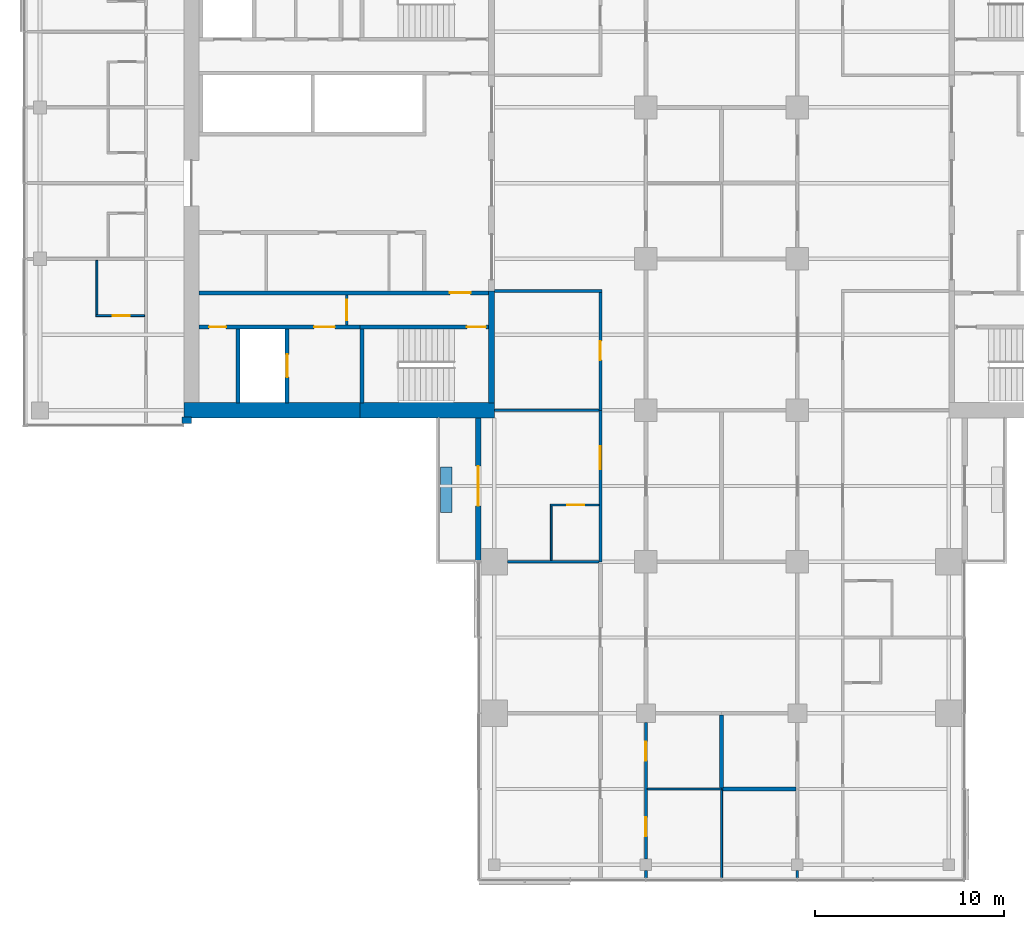
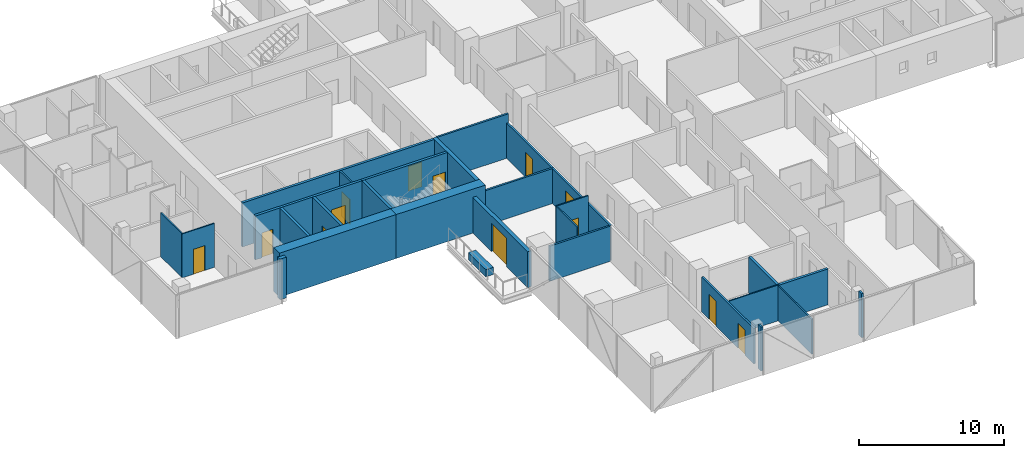
# One storey, part 15 of 27: 29 walls, 13 doors, 13 openings.
"""IFC4 building model written with IfcOpenShell, lengths in metres."""

from ifc_helpers import new_model, si_unit, direction, frame, frame_2d, origin, place, context, subcontext, project, spatial, rectangle, extrude, material, layer, layer_set, constituent, constituent_set, type_object, element, fill, save


model = new_model("IFC4")

# Units and contexts
model_context = context("Model", 3, precision=1e-05, world=origin(), true_north=direction((0.0, 1.0)))
body_context = subcontext(model_context, "Body", "Model", "MODEL_VIEW")
ifc_project = project(units=[si_unit("LENGTHUNIT", "METRE"), si_unit("AREAUNIT", "SQUARE_METRE"), si_unit("VOLUMEUNIT", "CUBIC_METRE"), si_unit("PLANEANGLEUNIT", "RADIAN"), si_unit("MASSUNIT", "GRAM", prefix="KILO")], contexts=[model_context])

# Site, building, storey
site_placement = place(None, origin())
site = spatial("IfcSite", under=ifc_project, at=site_placement, CompositionType="ELEMENT")
building_placement = place(site_placement, origin())
building = spatial("IfcBuilding", under=site, at=building_placement, Name="Crosswind Convention Tower", CompositionType="ELEMENT")
storey_placement = place(building_placement, frame((0.0, 0.0, 90.5)))
storey = spatial("IfcBuildingStorey", under=building, at=storey_placement, Name="L17", CompositionType="ELEMENT", Elevation=90.5)

# Walls
ifc_material_1 = material(Name="Concrete blockwork", Category="masonry")
ifc_layer_1 = layer(ifc_material_1, 0.199951171875)
ifc_layer_set_1 = layer_set([ifc_layer_1], Name="COMPARTMENT WALL 200")
wall_type_1 = type_object("IfcWallType", Name="COMPARTMENT WALL 200", PredefinedType="SOLIDWALL", material=ifc_layer_set_1)
wall_1_placement = place(storey_placement, frame((125.0, 68.0, 0.0), z_axis=(0.0, 0.0, 1.0), x_axis=(1.0, 0.0, 0.0)))
element("IfcWall", 1, at=wall_1_placement, inside=storey, type_object=wall_type_1, Name="Compartment Wall 2", PredefinedType="SOLIDWALL", context=body_context, shape_type="SweptSolid", body=[
    extrude(rectangle(XDim=3.925048828125, YDim=0.199951171875, at=frame_2d((1.96240234375, 0.0))), origin(), (0.0, 0.0, 1.0), 3.013671875),
])
wall_2_placement = place(storey_placement, frame((125.0, 68.050048828125, 0.0), z_axis=(0.0, 0.0, 1.0), x_axis=(0.0, 1.0, 0.0)))
element("IfcWall", 2, at=wall_2_placement, inside=storey, type_object=wall_type_1, Name="Compartment Wall 95", PredefinedType="SOLIDWALL", context=body_context, shape_type="SweptSolid", body=[
    extrude(rectangle(XDim=3.849853515625, YDim=0.199951171875, at=frame_2d((1.9248046875, 0.0))), origin(), (0.0, 0.0, 1.0), 3.013671875),
])
ifc_material_2 = material(Name="Plasterboard partition", Category="gypsum")
ifc_layer_2 = layer(ifc_material_2, 0.14990234375)
ifc_layer_set_2 = layer_set([ifc_layer_2], Name="CORRIDOR WALL 150")
wall_type_2 = type_object("IfcWallType", Name="CORRIDOR WALL 150", PredefinedType="PARTITIONING", material=ifc_layer_set_2)
wall_3_placement = place(storey_placement, frame((113.0, 94.300048828125, 0.0), z_axis=(0.0, 0.0, 1.0), x_axis=(1.0, 0.0, 0.0)))
element("IfcWall", 3, at=wall_3_placement, inside=storey, type_object=wall_type_2, Name="Corridor Wall 18", PredefinedType="PARTITIONING", context=body_context, shape_type="SweptSolid", body=[
    extrude(rectangle(XDim=5.675048828125, YDim=0.14990234375, at=frame_2d((2.83740234375, 0.0))), origin(), (0.0, 0.0, 1.0), 3.699951171875),
])

# Wall, opening, door
wall_4_placement = place(storey_placement, frame((118.60009765625, 88.0, 0.0), z_axis=(0.0, 0.0, 1.0), x_axis=(0.0, 1.0, 0.0)))
wall_4 = element("IfcWall", 4, at=wall_4_placement, inside=storey, type_object=wall_type_2, Name="Corridor Wall 80", PredefinedType="PARTITIONING", context=body_context, shape_type="SweptSolid", body=[
    extrude(rectangle(XDim=6.22509765625, YDim=0.14990234375, at=frame_2d((3.112548828125, 0.0))), origin(), (0.0, 0.0, 1.0), 2.956298828125),
])
opening_1_placement = place(wall_4_placement, frame((2.64990234375, 0.0, 0.0)))
opening_1 = element("IfcOpeningElement", 5, at=opening_1_placement, cuts=wall_4, Name="Opening 17.004", PredefinedType="OPENING", context=body_context, shape_type="SweptSolid", body=[
    extrude(rectangle(XDim=1.0, YDim=2.10009765625, at=frame_2d((0.5, 1.050048828125))), frame((0.0, 0.0849609375, 0.0), z_axis=(0.0, -1.0, 0.0), x_axis=(1.0, 0.0, 0.0)), (0.0, 0.0, 1.0), 0.169921875),
])
ifc_material_3 = material(Name="Timber fire door", Category="wood")
door_type_1 = type_object("IfcDoorType", Name="SERVICE ROOM DOOR 1000X2100", OperationType="NOTDEFINED", PredefinedType="DOOR", material=ifc_material_3)
door_1_placement = place(opening_1_placement, origin())
door_1 = element("IfcDoor", 6, at=door_1_placement, inside=storey, type_object=door_type_1, Name="Door 17.004", ObjectType="D3", OperationType="SINGLE_SWING_RIGHT", OverallHeight=2.10009765625, OverallWidth=1.0, PredefinedType="DOOR", context=body_context, shape_type="SweptSolid", body=[
    extrude(rectangle(XDim=1.0, YDim=2.10009765625, at=frame_2d((0.5, 1.050048828125))), frame((0.0, 0.02490234375, 0.0), z_axis=(0.0, -1.0, 0.0), x_axis=(1.0, 0.0, 0.0)), (0.0, 0.0, 1.0), 0.050048828125),
])
fill(opening_1, door_1)

# Wall
wall_5_placement = place(storey_placement, frame((121.0, 63.300048828125, 0.0), z_axis=(0.0, 0.0, 1.0), x_axis=(0.0, 1.0, 0.0)))
element("IfcWall", 7, at=wall_5_placement, inside=storey, type_object=wall_type_2, Name="Corridor Wall 83", PredefinedType="PARTITIONING", context=body_context, shape_type="SweptSolid", body=[
    extrude(rectangle(XDim=0.39990234375, YDim=0.14990234375, at=frame_2d((0.199951171875, 0.0))), origin(), (0.0, 0.0, 1.0), 3.699951171875),
])

# Wall, openings, doors
wall_6_placement = place(storey_placement, frame((121.0, 64.300048828125, 0.0), z_axis=(0.0, 0.0, 1.0), x_axis=(0.0, 1.0, 0.0)))
wall_6 = element("IfcWall", 8, at=wall_6_placement, inside=storey, type_object=wall_type_2, Name="Corridor Wall 84", PredefinedType="PARTITIONING", context=body_context, shape_type="SweptSolid", body=[
    extrude(rectangle(XDim=7.199951171875, YDim=0.14990234375, at=frame_2d((3.60009765625, 0.0))), origin(), (0.0, 0.0, 1.0), 2.959716796875),
])
opening_2_placement = place(wall_6_placement, frame((1.199951171875, 0.0, 0.0)))
opening_2 = element("IfcOpeningElement", 9, at=opening_2_placement, cuts=wall_6, Name="Opening 17.050", PredefinedType="OPENING", context=body_context, shape_type="SweptSolid", body=[
    extrude(rectangle(XDim=1.0, YDim=2.10009765625, at=frame_2d((0.5, 1.050048828125))), frame((0.0, 0.0849609375, 0.0), z_axis=(0.0, -1.0, 0.0), x_axis=(1.0, 0.0, 0.0)), (0.0, 0.0, 1.0), 0.169921875),
])
opening_3_placement = place(wall_6_placement, frame((5.199951171875, 0.0, 0.0)))
opening_3 = element("IfcOpeningElement", 10, at=opening_3_placement, cuts=wall_6, Name="Opening 17.051", PredefinedType="OPENING", context=body_context, shape_type="SweptSolid", body=[
    extrude(rectangle(XDim=1.0, YDim=2.10009765625, at=frame_2d((0.5, 1.050048828125))), frame((0.0, 0.0849609375, 0.0), z_axis=(0.0, -1.0, 0.0), x_axis=(1.0, 0.0, 0.0)), (0.0, 0.0, 1.0), 0.169921875),
])
door_2_placement = place(opening_2_placement, frame((1.0, 0.0, 0.0), z_axis=(0.0, 0.0, 1.0), x_axis=(-1.0, 0.0, 0.0)))
door_2 = element("IfcDoor", 11, at=door_2_placement, inside=storey, type_object=door_type_1, Name="Door 17.050", ObjectType="D3", OperationType="SINGLE_SWING_RIGHT", OverallHeight=2.10009765625, OverallWidth=1.0, PredefinedType="DOOR", context=body_context, shape_type="SweptSolid", body=[
    extrude(rectangle(XDim=1.0, YDim=2.10009765625, at=frame_2d((0.5, 1.050048828125))), frame((0.0, 0.02490234375, 0.0), z_axis=(0.0, -1.0, 0.0), x_axis=(1.0, 0.0, 0.0)), (0.0, 0.0, 1.0), 0.050048828125),
])
fill(opening_2, door_2)
door_3_placement = place(opening_3_placement, frame((1.0, 0.0, 0.0), z_axis=(0.0, 0.0, 1.0), x_axis=(-1.0, 0.0, 0.0)))
door_3 = element("IfcDoor", 12, at=door_3_placement, inside=storey, type_object=door_type_1, Name="Door 17.051", ObjectType="D3", OperationType="SINGLE_SWING_LEFT", OverallHeight=2.10009765625, OverallWidth=1.0, PredefinedType="DOOR", context=body_context, shape_type="SweptSolid", body=[
    extrude(rectangle(XDim=1.0, YDim=2.10009765625, at=frame_2d((0.5, 1.050048828125))), frame((0.0, 0.02490234375, 0.0), z_axis=(0.0, -1.0, 0.0), x_axis=(1.0, 0.0, 0.0)), (0.0, 0.0, 1.0), 0.050048828125),
])
fill(opening_3, door_3)

# Walls
wall_7_placement = place(storey_placement, frame((129.0, 63.300048828125, 0.0), z_axis=(0.0, 0.0, 1.0), x_axis=(0.0, 1.0, 0.0)))
element("IfcWall", 13, at=wall_7_placement, inside=storey, type_object=wall_type_2, Name="Corridor Wall 101", PredefinedType="PARTITIONING", context=body_context, shape_type="SweptSolid", body=[
    extrude(rectangle(XDim=0.39990234375, YDim=0.14990234375, at=frame_2d((0.199951171875, 0.0))), origin(), (0.0, 0.0, 1.0), 3.699951171875),
])
ifc_material_4 = material(Name="Concrete C50/60", Category="concrete")
ifc_layer_3 = layer(ifc_material_4, 0.300048828125)
ifc_layer_set_3 = layer_set([ifc_layer_3], Name="Concrete C50/60")
wall_type_3 = type_object("IfcWallType", Name="Concrete inner core wall 300", PredefinedType="SHEAR", material=ifc_layer_set_3)
wall_8_placement = place(storey_placement, frame((112.85009765625, 94.300048828125, 0.0), z_axis=(0.0, 0.0, 1.0), x_axis=(0.0, -1.0, 0.0)))
element("IfcWall", 14, at=wall_8_placement, inside=storey, type_object=wall_type_3, Name="Wall EP W L17", PredefinedType="SHEAR", context=body_context, shape_type="SweptSolid", body=[
    extrude(rectangle(XDim=5.900146484375, YDim=0.300048828125, at=frame_2d((2.9501953125, 0.0))), origin(), (0.0, 0.0, 1.0), 3.699951171875),
])

# Wall, opening, door
ifc_layer_4 = layer(ifc_material_4, 0.199951171875)
ifc_layer_set_4 = layer_set([ifc_layer_4], Name="Concrete C50/60")
wall_type_4 = type_object("IfcWallType", Name="Concrete shaft and stair wall 200", PredefinedType="SHEAR", material=ifc_layer_set_4)
wall_9_placement = place(storey_placement, frame((112.699951171875, 94.199951171875, 0.0), z_axis=(0.0, 0.0, 1.0), x_axis=(-1.0, 0.0, 0.0)))
wall_9 = element("IfcWall", 15, at=wall_9_placement, inside=storey, type_object=wall_type_4, Name="Wall HP W L17", PredefinedType="SHEAR", context=body_context, shape_type="SweptSolid", body=[
    extrude(rectangle(XDim=15.300048828125, YDim=0.199951171875, at=frame_2d((7.64990234375, 0.0))), origin(), (0.0, 0.0, 1.0), 3.699951171875),
])
opening_4_placement = place(wall_9_placement, frame((0.949951171875, 0.0, 0.0)))
opening_4 = element("IfcOpeningElement", 16, at=opening_4_placement, cuts=wall_9, Name="Opening D104", PredefinedType="OPENING", context=body_context, shape_type="SweptSolid", body=[
    extrude(rectangle(XDim=1.10009765625, YDim=2.10009765625, at=frame_2d((0.550048828125, 1.050048828125))), frame((0.0, 0.10986328125, 0.0), z_axis=(0.0, -1.0, 0.0), x_axis=(1.0, 0.0, 0.0)), (0.0, 0.0, 1.0), 0.219970703125),
])
ifc_material_5 = material(Name="Steel fire door", Category="steel")
door_type_2 = type_object("IfcDoorType", Name="Fire-rated single door 1100x2100", OperationType="NOTDEFINED", PredefinedType="DOOR", material=ifc_material_5)
door_4_placement = place(opening_4_placement, origin())
door_4 = element("IfcDoor", 17, at=door_4_placement, inside=storey, type_object=door_type_2, Name="Corridor door L17", ObjectType="D104", OperationType="SINGLE_SWING_LEFT", OverallHeight=2.10009765625, OverallWidth=1.10009765625, PredefinedType="DOOR", context=body_context, shape_type="SweptSolid", body=[
    extrude(rectangle(XDim=1.10009765625, YDim=2.10009765625, at=frame_2d((0.550048828125, 1.050048828125))), frame((0.0, 0.02490234375, 0.0), z_axis=(0.0, -1.0, 0.0), x_axis=(1.0, 0.0, 0.0)), (0.0, 0.0, 1.0), 0.050048828125),
])
fill(opening_4, door_4)

# Wall
wall_10_placement = place(storey_placement, frame((106.0, 92.300048828125, 0.0), z_axis=(0.0, 0.0, 1.0), x_axis=(0.0, -1.0, 0.0)))
element("IfcWall", 18, at=wall_10_placement, inside=storey, type_object=wall_type_4, Name="Wall PSE W L17", PredefinedType="SHEAR", context=body_context, shape_type="SweptSolid", body=[
    extrude(rectangle(XDim=3.900146484375, YDim=0.199951171875, at=frame_2d((1.9501953125, 0.0))), origin(), (0.0, 0.0, 1.0), 3.699951171875),
])

# Wall, opening, door
wall_11_placement = place(storey_placement, frame((102.050048828125, 92.300048828125, 0.0), z_axis=(0.0, 0.0, 1.0), x_axis=(0.0, -1.0, 0.0)))
wall_11 = element("IfcWall", 19, at=wall_11_placement, inside=storey, type_object=wall_type_4, Name="Wall PFLW W L17", PredefinedType="SHEAR", context=body_context, shape_type="SweptSolid", body=[
    extrude(rectangle(XDim=3.900146484375, YDim=0.199951171875, at=frame_2d((1.9501953125, 0.0))), origin(), (0.0, 0.0, 1.0), 3.699951171875),
])
opening_5_placement = place(wall_11_placement, frame((1.35009765625, 0.0, 0.0)))
opening_5 = element("IfcOpeningElement", 20, at=opening_5_placement, cuts=wall_11, Name="Opening LD1", PredefinedType="OPENING", context=body_context, shape_type="SweptSolid", body=[
    extrude(rectangle(XDim=1.199951171875, YDim=2.10009765625, at=frame_2d((0.60009765625, 1.050048828125))), frame((0.0, 0.10986328125, 0.0), z_axis=(0.0, -1.0, 0.0), x_axis=(1.0, 0.0, 0.0)), (0.0, 0.0, 1.0), 0.219970703125),
])
ifc_material_6 = material(Name="Stainless steel", Category="steel")
door_type_3 = type_object("IfcDoorType", Name="Lift landing door 1200x2100", OperationType="DOUBLE_DOOR_SLIDING", PredefinedType="DOOR", material=ifc_material_6)
door_5_placement = place(opening_5_placement, origin())
door_5 = element("IfcDoor", 21, at=door_5_placement, inside=storey, type_object=door_type_3, Name="Landing door FF2 L17", ObjectType="LD1", OperationType="DOUBLE_DOOR_SLIDING", OverallHeight=2.10009765625, OverallWidth=1.199951171875, PredefinedType="DOOR", context=body_context, shape_type="SweptSolid", body=[
    extrude(rectangle(XDim=1.199951171875, YDim=2.10009765625, at=frame_2d((0.60009765625, 1.050048828125))), frame((0.0, 0.02490234375, 0.0), z_axis=(0.0, -1.0, 0.0), x_axis=(1.0, 0.0, 0.0)), (0.0, 0.0, 1.0), 0.050048828125),
])
fill(opening_5, door_5)

# Wall
wall_12_placement = place(storey_placement, frame((99.449951171875, 92.300048828125, 0.0), z_axis=(0.0, 0.0, 1.0), x_axis=(0.0, -1.0, 0.0)))
element("IfcWall", 22, at=wall_12_placement, inside=storey, type_object=wall_type_4, Name="Wall PFSE W L17", PredefinedType="SHEAR", context=body_context, shape_type="SweptSolid", body=[
    extrude(rectangle(XDim=3.900146484375, YDim=0.199951171875, at=frame_2d((1.9501953125, 0.0))), origin(), (0.0, 0.0, 1.0), 3.699951171875),
])

# Wall, opening, door
wall_13_placement = place(storey_placement, frame((112.699951171875, 92.39990234375, 0.0), z_axis=(0.0, 0.0, 1.0), x_axis=(-1.0, 0.0, 0.0)))
wall_13 = element("IfcWall", 23, at=wall_13_placement, inside=storey, type_object=wall_type_4, Name="Wall PCW W L17", PredefinedType="SHEAR", context=body_context, shape_type="SweptSolid", body=[
    extrude(rectangle(XDim=6.800048828125, YDim=0.199951171875, at=frame_2d((3.39990234375, 0.0))), origin(), (0.0, 0.0, 1.0), 3.699951171875),
])
opening_6_placement = place(wall_13_placement, frame((0.14990234375, 0.0, 0.0)))
opening_6 = element("IfcOpeningElement", 24, at=opening_6_placement, cuts=wall_13, Name="Opening D103", PredefinedType="OPENING", context=body_context, shape_type="SweptSolid", body=[
    extrude(rectangle(XDim=1.0, YDim=2.10009765625, at=frame_2d((0.5, 1.050048828125))), frame((0.0, 0.10986328125, 0.0), z_axis=(0.0, -1.0, 0.0), x_axis=(1.0, 0.0, 0.0)), (0.0, 0.0, 1.0), 0.219970703125),
])
door_type_4 = type_object("IfcDoorType", Name="Fire-rated single door 1000x2100", OperationType="NOTDEFINED", PredefinedType="DOOR", material=ifc_material_5)
door_6_placement = place(opening_6_placement, origin())
door_6 = element("IfcDoor", 25, at=door_6_placement, inside=storey, type_object=door_type_4, Name="Stair ST3 door L17", ObjectType="D103", OperationType="SINGLE_SWING_LEFT", OverallHeight=2.10009765625, OverallWidth=1.0, PredefinedType="DOOR", context=body_context, shape_type="SweptSolid", body=[
    extrude(rectangle(XDim=1.0, YDim=2.10009765625, at=frame_2d((0.5, 1.050048828125))), frame((0.0, 0.02490234375, 0.0), z_axis=(0.0, -1.0, 0.0), x_axis=(1.0, 0.0, 0.0)), (0.0, 0.0, 1.0), 0.050048828125),
])
fill(opening_6, door_6)

# Wall, openings, doors
wall_14_placement = place(storey_placement, frame((105.89990234375, 92.39990234375, 0.0), z_axis=(0.0, 0.0, 1.0), x_axis=(-1.0, 0.0, 0.0)))
wall_14 = element("IfcWall", 26, at=wall_14_placement, inside=storey, type_object=wall_type_4, Name="Wall PCX W L17", PredefinedType="SHEAR", context=body_context, shape_type="SweptSolid", body=[
    extrude(rectangle(XDim=8.5, YDim=0.199951171875, at=frame_2d((4.25, 0.0))), origin(), (0.0, 0.0, 1.0), 3.699951171875),
])
opening_7_placement = place(wall_14_placement, frame((1.324951171875, 0.0, 0.0)))
opening_7 = element("IfcOpeningElement", 27, at=opening_7_placement, cuts=wall_14, Name="Opening D104", PredefinedType="OPENING", context=body_context, shape_type="SweptSolid", body=[
    extrude(rectangle(XDim=1.10009765625, YDim=2.10009765625, at=frame_2d((0.550048828125, 1.050048828125))), frame((0.0, 0.10986328125, 0.0), z_axis=(0.0, -1.0, 0.0), x_axis=(1.0, 0.0, 0.0)), (0.0, 0.0, 1.0), 0.219970703125),
])
opening_8_placement = place(wall_14_placement, frame((7.074951171875, 0.0, 0.0)))
opening_8 = element("IfcOpeningElement", 28, at=opening_8_placement, cuts=wall_14, Name="Opening D106", PredefinedType="OPENING", context=body_context, shape_type="SweptSolid", body=[
    extrude(rectangle(XDim=0.89990234375, YDim=2.10009765625, at=frame_2d((0.449951171875, 1.050048828125))), frame((0.0, 0.10986328125, 0.0), z_axis=(0.0, -1.0, 0.0), x_axis=(1.0, 0.0, 0.0)), (0.0, 0.0, 1.0), 0.219970703125),
])
door_7_placement = place(opening_7_placement, origin())
door_7 = element("IfcDoor", 29, at=door_7_placement, inside=storey, type_object=door_type_2, Name="Fire-fighting lobby FF2 door L17", ObjectType="D104", OperationType="SINGLE_SWING_RIGHT", OverallHeight=2.10009765625, OverallWidth=1.10009765625, PredefinedType="DOOR", context=body_context, shape_type="SweptSolid", body=[
    extrude(rectangle(XDim=1.10009765625, YDim=2.10009765625, at=frame_2d((0.550048828125, 1.050048828125))), frame((0.0, 0.02490234375, 0.0), z_axis=(0.0, -1.0, 0.0), x_axis=(1.0, 0.0, 0.0)), (0.0, 0.0, 1.0), 0.050048828125),
])
fill(opening_7, door_7)
ifc_material_7 = material(Name="Timber door", Category="wood")
door_type_5 = type_object("IfcDoorType", Name="Single leaf door 900x2100", OperationType="NOTDEFINED", PredefinedType="DOOR", material=ifc_material_7)
door_8_placement = place(opening_8_placement, origin())
door_8 = element("IfcDoor", 30, at=door_8_placement, inside=storey, type_object=door_type_5, Name="Door to electrical room L17", ObjectType="D106", OperationType="SINGLE_SWING_RIGHT", OverallHeight=2.10009765625, OverallWidth=0.89990234375, PredefinedType="DOOR", context=body_context, shape_type="SweptSolid", body=[
    extrude(rectangle(XDim=0.89990234375, YDim=2.10009765625, at=frame_2d((0.449951171875, 1.050048828125))), frame((0.0, 0.02490234375, 0.0), z_axis=(0.0, -1.0, 0.0), x_axis=(1.0, 0.0, 0.0)), (0.0, 0.0, 1.0), 0.050048828125),
])
fill(opening_8, door_8)

# Wall, opening, door
ifc_material_8 = material(Name="Gypsum plasterboard partition", Category="gypsum")
ifc_layer_5 = layer(ifc_material_8, 0.125)
ifc_layer_set_5 = layer_set([ifc_layer_5], Name="Drywall partition wall 125")
wall_type_5 = type_object("IfcWallType", Name="Drywall partition wall 125", PredefinedType="PARTITIONING", material=ifc_layer_set_5)
wall_15_placement = place(storey_placement, frame((105.199951171875, 94.10009765625, 0.0), z_axis=(0.0, 0.0, 1.0), x_axis=(0.0, -1.0, 0.0)))
wall_15 = element("IfcWall", 31, at=wall_15_placement, inside=storey, type_object=wall_type_5, Name="Wall PXC1 W L17", PredefinedType="PARTITIONING", context=body_context, shape_type="SweptSolid", body=[
    extrude(rectangle(XDim=1.60009765625, YDim=0.125, at=frame_2d((0.800048828125, 0.0))), origin(), (0.0, 0.0, 1.0), 3.699951171875),
])
opening_9_placement = place(wall_15_placement, frame((0.25, 0.0, 0.0)))
opening_9 = element("IfcOpeningElement", 32, at=opening_9_placement, cuts=wall_15, Name="Opening D104", PredefinedType="OPENING", context=body_context, shape_type="SweptSolid", body=[
    extrude(rectangle(XDim=1.10009765625, YDim=2.10009765625, at=frame_2d((0.550048828125, 1.050048828125))), frame((0.0, 0.072509765625, 0.0), z_axis=(0.0, -1.0, 0.0), x_axis=(1.0, 0.0, 0.0)), (0.0, 0.0, 1.0), 0.14501953125),
])
door_9_placement = place(opening_9_placement, origin())
door_9 = element("IfcDoor", 33, at=door_9_placement, inside=storey, type_object=door_type_2, Name="Corridor smoke door L17", ObjectType="D104", OperationType="SINGLE_SWING_RIGHT", OverallHeight=2.10009765625, OverallWidth=1.10009765625, PredefinedType="DOOR", context=body_context, shape_type="SweptSolid", body=[
    extrude(rectangle(XDim=1.10009765625, YDim=2.10009765625, at=frame_2d((0.550048828125, 1.050048828125))), frame((0.0, 0.02490234375, 0.0), z_axis=(0.0, -1.0, 0.0), x_axis=(1.0, 0.0, 0.0)), (0.0, 0.0, 1.0), 0.050048828125),
])
fill(opening_9, door_9)

# Walls
ifc_material_9 = material(Name="Acoustic plasterboard partition", Category="gypsum")
ifc_layer_6 = layer(ifc_material_9, 0.14990234375)
ifc_layer_set_6 = layer_set([ifc_layer_6], Name="GUEST ROOM WALL 150")
wall_type_6 = type_object("IfcWallType", Name="GUEST ROOM WALL 150", PredefinedType="PARTITIONING", material=ifc_layer_set_6)
wall_16_placement = place(storey_placement, frame((113.699951171875, 80.0, 0.0), z_axis=(0.0, 0.0, 1.0), x_axis=(1.0, 0.0, 0.0)))
element("IfcWall", 34, at=wall_16_placement, inside=storey, type_object=wall_type_6, Name="Guest Room Wall 9", PredefinedType="PARTITIONING", context=body_context, shape_type="SweptSolid", body=[
    extrude(rectangle(XDim=4.824951171875, YDim=0.14990234375, at=frame_2d((2.41259765625, 0.0))), origin(), (0.0, 0.0, 1.0), 2.959716796875),
])
wall_17_placement = place(storey_placement, frame((113.0, 88.0, 0.0), z_axis=(0.0, 0.0, 1.0), x_axis=(1.0, 0.0, 0.0)))
element("IfcWall", 35, at=wall_17_placement, inside=storey, type_object=wall_type_6, Name="Guest Room Wall 12", PredefinedType="PARTITIONING", context=body_context, shape_type="SweptSolid", body=[
    extrude(rectangle(XDim=5.52490234375, YDim=0.14990234375, at=frame_2d((2.762451171875, 0.0))), origin(), (0.0, 0.0, 1.0), 2.956298828125),
])

# Wall, opening, door
wall_18_placement = place(storey_placement, frame((118.60009765625, 80.0, 0.0), z_axis=(0.0, 0.0, 1.0), x_axis=(0.0, 1.0, 0.0)))
wall_18 = element("IfcWall", 36, at=wall_18_placement, inside=storey, type_object=wall_type_6, Name="Guest Room Wall 79", PredefinedType="PARTITIONING", context=body_context, shape_type="SweptSolid", body=[
    extrude(rectangle(XDim=8.0, YDim=0.14990234375, at=frame_2d((4.0, 0.0))), origin(), (0.0, 0.0, 1.0), 2.956298828125),
])
opening_10_placement = place(wall_18_placement, frame((4.89990234375, 0.0, 0.0)))
opening_10 = element("IfcOpeningElement", 37, at=opening_10_placement, cuts=wall_18, Name="Opening 17.024", PredefinedType="OPENING", context=body_context, shape_type="SweptSolid", body=[
    extrude(rectangle(XDim=1.199951171875, YDim=2.199951171875, at=frame_2d((0.60009765625, 1.10009765625))), frame((0.0, 0.0849609375, 0.0), z_axis=(0.0, -1.0, 0.0), x_axis=(1.0, 0.0, 0.0)), (0.0, 0.0, 1.0), 0.169921875),
])
door_type_6 = type_object("IfcDoorType", Name="SUITE DOOR 1200X2200", OperationType="DOUBLE_DOOR_SINGLE_SWING", PredefinedType="DOOR", material=ifc_material_3)
door_10_placement = place(opening_10_placement, origin())
door_10 = element("IfcDoor", 38, at=door_10_placement, inside=storey, type_object=door_type_6, Name="Door 17.024", ObjectType="D14", OperationType="DOUBLE_DOOR_SINGLE_SWING", OverallHeight=2.199951171875, OverallWidth=1.199951171875, PredefinedType="DOOR", context=body_context, shape_type="SweptSolid", body=[
    extrude(rectangle(XDim=1.199951171875, YDim=2.199951171875, at=frame_2d((0.60009765625, 1.10009765625))), frame((0.0, 0.02490234375, 0.0), z_axis=(0.0, -1.0, 0.0), x_axis=(1.0, 0.0, 0.0)), (0.0, 0.0, 1.0), 0.050048828125),
])
fill(opening_10, door_10)

# Walls
ifc_layer_7 = layer(ifc_material_2, 0.10009765625)
ifc_layer_set_7 = layer_set([ifc_layer_7], Name="PARTITION 100")
wall_type_7 = type_object("IfcWallType", Name="PARTITION 100", PredefinedType="PARTITIONING", material=ifc_layer_set_7)
wall_19_placement = place(storey_placement, frame((121.074951171875, 68.0, 0.0), z_axis=(0.0, 0.0, 1.0), x_axis=(1.0, 0.0, 0.0)))
element("IfcWall", 39, at=wall_19_placement, inside=storey, type_object=wall_type_7, Name="Partition 1", PredefinedType="PARTITIONING", context=body_context, shape_type="SweptSolid", body=[
    extrude(rectangle(XDim=3.925048828125, YDim=0.10009765625, at=frame_2d((1.96240234375, 0.0))), origin(), (0.0, 0.0, 1.0), 3.013671875),
])
wall_20_placement = place(storey_placement, frame((125.0, 63.300048828125, 0.0), z_axis=(0.0, 0.0, 1.0), x_axis=(0.0, 1.0, 0.0)))
element("IfcWall", 40, at=wall_20_placement, inside=storey, type_object=wall_type_7, Name="Partition 94", PredefinedType="PARTITIONING", context=body_context, shape_type="SweptSolid", body=[
    extrude(rectangle(XDim=4.64990234375, YDim=0.10009765625, at=frame_2d((2.324951171875, 0.0))), origin(), (0.0, 0.0, 1.0), 2.962890625),
])
ifc_material_10 = material(Name="Concrete C30/37", Category="concrete")
ifc_layer_8 = layer(ifc_material_10, 0.60009765625)
ifc_layer_set_8 = layer_set([ifc_layer_8], Name="Concrete C30/37")
wall_type_8 = type_object("IfcWallType", Name="PLANTER BOX WALL 600", PredefinedType="SOLIDWALL", material=ifc_layer_set_8)
wall_21_placement = place(storey_placement, frame((110.449951171875, 85.0, 0.0), z_axis=(0.0, 0.0, 1.0), x_axis=(0.0, -1.0, 0.0)))
element("IfcWall", 41, at=wall_21_placement, inside=storey, type_object=wall_type_8, Name="PLANTER L17 S-W.1-1", PredefinedType="SOLIDWALL", context=body_context, shape_type="SweptSolid", body=[
    extrude(rectangle(XDim=2.39990234375, YDim=0.60009765625, at=frame_2d((1.199951171875, 0.0))), origin(), (0.0, 0.0, 1.0), 0.60009765625),
])
ifc_material_11 = material(Name="Terracotta rainscreen", Category="ceramic")
ifc_layer_9 = layer(ifc_material_11, 0.02001953125)
ifc_material_12 = material(Name="Mineral wool insulation", Category="insulation")
ifc_layer_10 = layer(ifc_material_12, 0.10009765625)
ifc_layer_11 = layer(ifc_material_1, 0.236083984375)
ifc_layer_set_9 = layer_set([ifc_layer_9, ifc_layer_10, ifc_layer_11], Name="TERRACOTTA CORNER INFILL WALL 356")
wall_type_9 = type_object("IfcWallType", Name="TERRACOTTA CORNER INFILL WALL 356", PredefinedType="SOLIDWALL", material=ifc_layer_set_9)
wall_22_placement = place(storey_placement, frame((96.4951171875, 87.47802734375, 0.0), z_axis=(0.0, 0.0, 1.0), x_axis=(1.0, 0.0, 0.0)))
element("IfcWall", 42, at=wall_22_placement, inside=storey, type_object=wall_type_9, Name="Core corner infill wall L17 3", PredefinedType="SOLIDWALL", context=body_context, shape_type="SweptSolid", body=[
    extrude(rectangle(XDim=0.5048828125, YDim=0.35595703125, at=frame_2d((0.25244140625, 0.0))), origin(), (0.0, 0.0, 1.0), 3.419921875),
])

# Wall, opening, door
ifc_layer_12 = layer(ifc_material_11, 0.02001953125)
ifc_layer_13 = layer(ifc_material_12, 0.10009765625)
ifc_layer_14 = layer(ifc_material_1, 0.179931640625)
ifc_layer_set_10 = layer_set([ifc_layer_12, ifc_layer_13, ifc_layer_14], Name="TERRACOTTA INFILL WALL 300")
wall_type_10 = type_object("IfcWallType", Name="TERRACOTTA INFILL WALL 300", PredefinedType="SOLIDWALL", material=ifc_layer_set_10)
wall_23_placement = place(storey_placement, frame((112.14990234375, 87.60009765625, 0.0), z_axis=(0.0, 0.0, 1.0), x_axis=(0.0, -1.0, 0.0)))
wall_23 = element("IfcWall", 43, at=wall_23_placement, inside=storey, type_object=wall_type_10, Name="Notch front wall L17 S-W.1-1", PredefinedType="SOLIDWALL", context=body_context, shape_type="SweptSolid", body=[
    extrude(rectangle(XDim=7.567626953125, YDim=0.300048828125, at=frame_2d((3.78369140625, 0.0))), origin(), (0.0, 0.0, 1.0), 3.013671875),
])
opening_11_placement = place(wall_23_placement, frame((2.550048828125, 0.0, 0.0)))
opening_11 = element("IfcOpeningElement", 44, at=opening_11_placement, cuts=wall_23, Name="Opening D141", PredefinedType="OPENING", context=body_context, shape_type="SweptSolid", body=[
    extrude(rectangle(XDim=2.10009765625, YDim=2.39990234375, at=frame_2d((1.050048828125, 1.199951171875))), frame((0.0, 0.159912109375, 0.0), z_axis=(0.0, -1.0, 0.0), x_axis=(1.0, 0.0, 0.0)), (0.0, 0.0, 1.0), 0.320068359375),
])
ifc_material_13 = material(Name="Aluminium glazed door", Category="aluminium")
door_type_7 = type_object("IfcDoorType", Name="BALCONY SLIDING DOOR 2100X2400", OperationType="SLIDING_TO_LEFT", PredefinedType="DOOR", material=ifc_material_13)
door_11_placement = place(opening_11_placement, frame((2.10009765625, 0.0, 0.0), z_axis=(0.0, 0.0, 1.0), x_axis=(-1.0, 0.0, 0.0)))
door_11 = element("IfcDoor", 45, at=door_11_placement, inside=storey, type_object=door_type_7, Name="D141 balcony door L17 S-W.1-1", ObjectType="D141", OperationType="SLIDING_TO_LEFT", OverallHeight=2.39990234375, OverallWidth=2.10009765625, PredefinedType="DOOR", context=body_context, shape_type="SweptSolid", body=[
    extrude(rectangle(XDim=2.10009765625, YDim=2.39990234375, at=frame_2d((1.050048828125, 1.199951171875))), frame((0.0, 0.02490234375, 0.0), z_axis=(0.0, -1.0, 0.0), x_axis=(1.0, 0.0, 0.0)), (0.0, 0.0, 1.0), 0.050048828125),
])
fill(opening_11, door_11)

# Walls
ifc_material_14 = material(Name="Concrete C60/75", Category="concrete")
ifc_constituent_1 = constituent(ifc_material_14, Name="Structure")
ifc_constituent_2 = constituent(ifc_material_11, Name="Facing")
ifc_constituent_set = constituent_set(constituents=[ifc_constituent_1, ifc_constituent_2], Name="Concrete C60/75, Terracotta rainscreen")
wall_type_11 = type_object("IfcWallType", Name="Terracotta rainscreen on concrete core wall 800", PredefinedType="SHEAR", material=ifc_constituent_set)
wall_24_placement = place(storey_placement, frame((113.0, 88.0, 0.0), z_axis=(0.0, 0.0, 1.0), x_axis=(-1.0, 0.0, 0.0)))
element("IfcWall", 46, at=wall_24_placement, inside=storey, type_object=wall_type_11, Name="Wall N1 W L17", PredefinedType="SHEAR", context=body_context, shape_type="SweptSolid", body=[
    extrude(rectangle(XDim=7.10009765625, YDim=0.800048828125, at=frame_2d((3.550048828125, 0.0))), origin(), (0.0, 0.0, 1.0), 3.699951171875),
])
wall_25_placement = place(storey_placement, frame((105.89990234375, 88.0, 0.0), z_axis=(0.0, 0.0, 1.0), x_axis=(-1.0, 0.0, 0.0)))
element("IfcWall", 47, at=wall_25_placement, inside=storey, type_object=wall_type_11, Name="Wall N2 W L17", PredefinedType="SHEAR", context=body_context, shape_type="SweptSolid", body=[
    extrude(rectangle(XDim=9.2998046875, YDim=0.800048828125, at=frame_2d((4.64990234375, 0.0))), origin(), (0.0, 0.0, 1.0), 3.699951171875),
])

# Wall, opening, door
ifc_material_15 = material(Name="Water-resistant plasterboard partition", Category="gypsum")
ifc_layer_15 = layer(ifc_material_15, 0.10009765625)
ifc_layer_set_11 = layer_set([ifc_layer_15], Name="WET ROOM PARTITION 100")
wall_type_12 = type_object("IfcWallType", Name="WET ROOM PARTITION 100", PredefinedType="PLUMBINGWALL", material=ifc_layer_set_11)
wall_26_placement = place(storey_placement, frame((115.949951171875, 83.0, 0.0), z_axis=(0.0, 0.0, 1.0), x_axis=(1.0, 0.0, 0.0)))
wall_26 = element("IfcWall", 48, at=wall_26_placement, inside=storey, type_object=wall_type_12, Name="Wet Room Partition 11", PredefinedType="PLUMBINGWALL", context=body_context, shape_type="SweptSolid", body=[
    extrude(rectangle(XDim=2.574951171875, YDim=0.10009765625, at=frame_2d((1.28759765625, 0.0))), origin(), (0.0, 0.0, 1.0), 3.699951171875),
])
opening_12_placement = place(wall_26_placement, frame((0.89990234375, 0.0, 0.0)))
opening_12 = element("IfcOpeningElement", 49, at=opening_12_placement, cuts=wall_26, Name="Opening 17.025", PredefinedType="OPENING", context=body_context, shape_type="SweptSolid", body=[
    extrude(rectangle(XDim=0.89990234375, YDim=2.10009765625, at=frame_2d((0.449951171875, 1.050048828125))), frame((0.0, 0.06005859375, 0.0), z_axis=(0.0, -1.0, 0.0), x_axis=(1.0, 0.0, 0.0)), (0.0, 0.0, 1.0), 0.1201171875),
])
door_type_8 = type_object("IfcDoorType", Name="EN-SUITE DOOR 900X2100", OperationType="NOTDEFINED", PredefinedType="DOOR", material=ifc_material_7)
door_12_placement = place(opening_12_placement, frame((0.89990234375, 0.0, 0.0), z_axis=(0.0, 0.0, 1.0), x_axis=(-1.0, 0.0, 0.0)))
door_12 = element("IfcDoor", 50, at=door_12_placement, inside=storey, type_object=door_type_8, Name="Door 17.025", ObjectType="D2", OperationType="SINGLE_SWING_LEFT", OverallHeight=2.10009765625, OverallWidth=0.89990234375, PredefinedType="DOOR", context=body_context, shape_type="SweptSolid", body=[
    extrude(rectangle(XDim=0.89990234375, YDim=2.10009765625, at=frame_2d((0.449951171875, 1.050048828125))), frame((0.0, 0.02490234375, 0.0), z_axis=(0.0, -1.0, 0.0), x_axis=(1.0, 0.0, 0.0)), (0.0, 0.0, 1.0), 0.050048828125),
])
fill(opening_12, door_12)

wall_27_placement = place(storey_placement, frame((91.949951171875, 93.0, 0.0), z_axis=(0.0, 0.0, 1.0), x_axis=(1.0, 0.0, 0.0)))
wall_27 = element("IfcWall", 51, at=wall_27_placement, inside=storey, type_object=wall_type_12, Name="Wet Room Partition 17", PredefinedType="PLUMBINGWALL", context=body_context, shape_type="SweptSolid", body=[
    extrude(rectangle(XDim=2.574951171875, YDim=0.10009765625, at=frame_2d((1.28759765625, 0.0))), origin(), (0.0, 0.0, 1.0), 3.699951171875),
])
opening_13_placement = place(wall_27_placement, frame((0.89990234375, 0.0, 0.0)))
opening_13 = element("IfcOpeningElement", 52, at=opening_13_placement, cuts=wall_27, Name="Opening 17.041", PredefinedType="OPENING", context=body_context, shape_type="SweptSolid", body=[
    extrude(rectangle(XDim=0.89990234375, YDim=2.10009765625, at=frame_2d((0.449951171875, 1.050048828125))), frame((0.0, 0.06005859375, 0.0), z_axis=(0.0, -1.0, 0.0), x_axis=(1.0, 0.0, 0.0)), (0.0, 0.0, 1.0), 0.1201171875),
])
door_13_placement = place(opening_13_placement, origin())
door_13 = element("IfcDoor", 53, at=door_13_placement, inside=storey, type_object=door_type_8, Name="Door 17.041", ObjectType="D2", OperationType="SINGLE_SWING_RIGHT", OverallHeight=2.10009765625, OverallWidth=0.89990234375, PredefinedType="DOOR", context=body_context, shape_type="SweptSolid", body=[
    extrude(rectangle(XDim=0.89990234375, YDim=2.10009765625, at=frame_2d((0.449951171875, 1.050048828125))), frame((0.0, 0.02490234375, 0.0), z_axis=(0.0, -1.0, 0.0), x_axis=(1.0, 0.0, 0.0)), (0.0, 0.0, 1.0), 0.050048828125),
])
fill(opening_13, door_13)

# Walls
for number, where, z_axis, x_axis, name in (
    (54, (92.0, 93.050048828125, 0.0), (0.0, 0.0, 1.0), (0.0, 1.0, 0.0), "Wet Room Partition 66"),
    (55, (116.0, 80.074951171875, 0.0), (0.0, 0.0, 1.0), (0.0, 1.0, 0.0), "Wet Room Partition 72"),
):
    element("IfcWall", number, at=place(storey_placement, frame(where, z_axis=z_axis, x_axis=x_axis)), inside=storey, type_object=wall_type_12, Name=name, PredefinedType="PLUMBINGWALL", context=body_context, shape_type="SweptSolid", body=[
        extrude(rectangle(XDim=2.875, YDim=0.10009765625, at=frame_2d((1.4375, 0.0))), origin(), (0.0, 0.0, 1.0), 3.699951171875),
    ])

save(model, "model.ifc")
